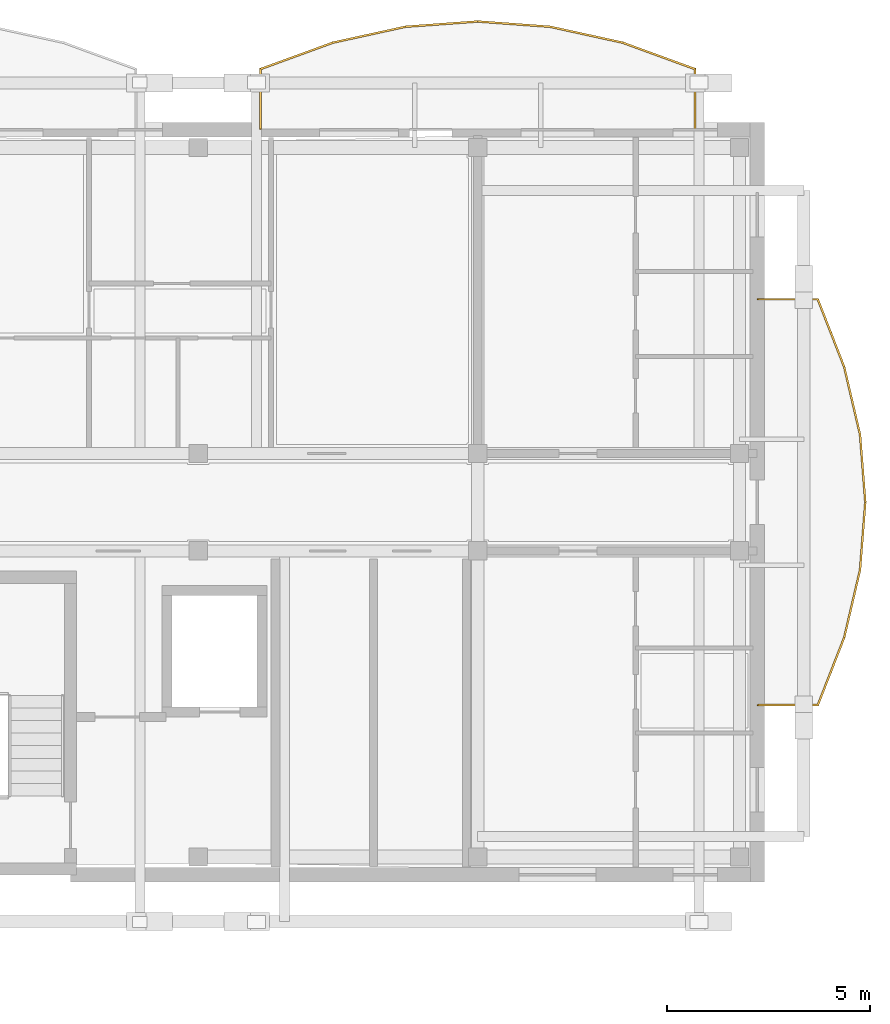
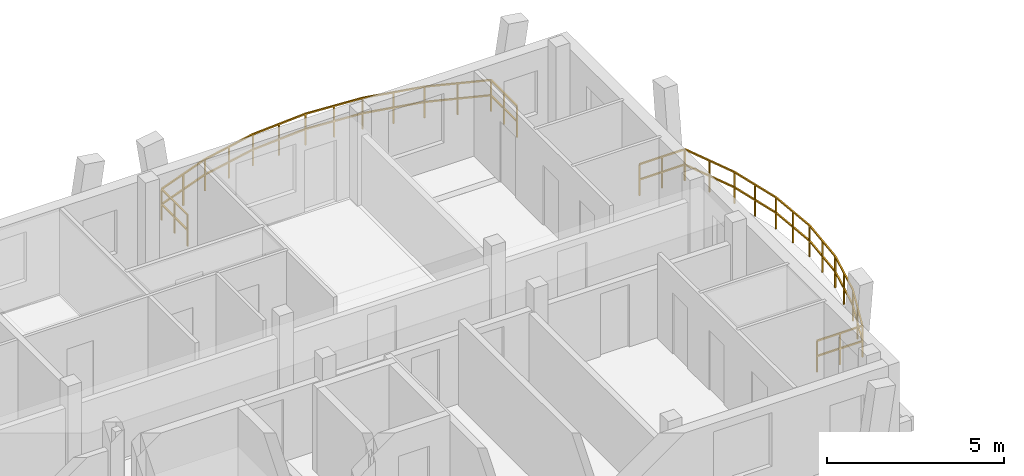
# One storey, part 52 of 52: 2 railings.
"""IFC4 building model written with IfcOpenShell, lengths in metres."""

from ifc_helpers import new_model, si_unit, direction, frame, origin, origin_2d, place, context, subcontext, project, spatial, rectangle, extrude, material, type_object, element, save


model = new_model("IFC4")

# Units and contexts
model_context = context("Model", 3, precision=1e-05, world=origin(), true_north=direction((0.0, 1.0)))
body_context = subcontext(model_context, "Body", "Model", "MODEL_VIEW")
ifc_project = project(units=[si_unit("LENGTHUNIT", "METRE"), si_unit("AREAUNIT", "SQUARE_METRE"), si_unit("VOLUMEUNIT", "CUBIC_METRE"), si_unit("PLANEANGLEUNIT", "RADIAN"), si_unit("MASSUNIT", "GRAM", prefix="KILO")], contexts=[model_context])

# Site, building, storey
site_placement = place(None, origin())
site = spatial("IfcSite", under=ifc_project, at=site_placement, CompositionType="ELEMENT")
building_placement = place(site_placement, origin())
building = spatial("IfcBuilding", under=site, at=building_placement, Name="Zavelmont Quarter", CompositionType="ELEMENT")
storey_placement = place(building_placement, frame((0.0, 0.0, 14.39990234375)))
storey = spatial("IfcBuildingStorey", under=building, at=storey_placement, Name="L04", CompositionType="ELEMENT", Elevation=14.39990234375)

# Railings
ifc_material = material(Name="Powder-coated steel and tempered double safety glass", Category="steel")
railing_type = type_object("IfcRailingType", Name="RL-BAL1", PredefinedType="BALUSTRADE", material=ifc_material)
railing_1_placement = place(storey_placement, frame((166.4609375, 116.02001953125, 0.0)))
element("IfcRailing", 1, at=railing_1_placement, inside=storey, type_object=railing_type, Name="L04 Block C curved balcony guard RL-BAL1", PredefinedType="BALUSTRADE", context=body_context, shape_type="SweptSolid", body=[
    extrude(rectangle(XDim=0.048095703125, YDim=0.048095703125, at=origin_2d()), frame((0.0, 0.0, 1.076171875), z_axis=(0.0, 1.0, 0.0), x_axis=(-1.0, 0.0, 0.0)), (0.0, 0.0, 1.0), 1.474609375),
    extrude(rectangle(XDim=0.048095703125, YDim=0.048095703125, at=origin_2d()), frame((0.0, 0.0, 0.550048828125), z_axis=(0.0, 1.0, 0.0), x_axis=(-1.0, 0.0, 0.0)), (0.0, 0.0, 1.0), 1.474609375),
    extrude(rectangle(XDim=0.048095703125, YDim=0.048095703125, at=origin_2d()), frame((0.0, 1.474609375, 1.076171875), z_axis=(-0.939357976096, 0.342938176271, 0.0), x_axis=(-0.342938176271, -0.939357976096, 0.0)), (0.0, 0.0, 1.0), 1.902099609375),
    extrude(rectangle(XDim=0.048095703125, YDim=0.048095703125, at=origin_2d()), frame((0.0, 1.474609375, 0.550048828125), z_axis=(-0.939357976096, 0.342938176271, 0.0), x_axis=(-0.342938176271, -0.939357976096, 0.0)), (0.0, 0.0, 1.0), 1.902099609375),
    extrude(rectangle(XDim=0.048095703125, YDim=0.048095703125, at=origin_2d()), frame((-1.786865234375, 2.126953125, 1.076171875), z_axis=(-0.976823344536, 0.2140470826, 0.0), x_axis=(-0.2140470826, -0.976823344536, 0.0)), (0.0, 0.0, 1.0), 1.82958984375),
    extrude(rectangle(XDim=0.048095703125, YDim=0.048095703125, at=origin_2d()), frame((-1.786865234375, 2.126953125, 0.550048828125), z_axis=(-0.976823344536, 0.2140470826, 0.0), x_axis=(-0.2140470826, -0.976823344536, 0.0)), (0.0, 0.0, 1.0), 1.82958984375),
    extrude(rectangle(XDim=0.048095703125, YDim=0.048095703125, at=origin_2d()), frame((-3.573974609375, 2.5185546875, 1.076171875), z_axis=(-0.997348941337, 0.072767363666, 0.0), x_axis=(-0.072767363666, -0.997348941337, 0.0)), (0.0, 0.0, 1.0), 1.79150390625),
    extrude(rectangle(XDim=0.048095703125, YDim=0.048095703125, at=origin_2d()), frame((-3.573974609375, 2.5185546875, 0.550048828125), z_axis=(-0.997348941337, 0.072767363666, 0.0), x_axis=(-0.072767363666, -0.997348941337, 0.0)), (0.0, 0.0, 1.0), 1.79150390625),
    extrude(rectangle(XDim=0.048095703125, YDim=0.048095703125, at=origin_2d()), frame((-5.36083984375, 2.64892578125, 1.076171875), z_axis=(-0.997349662743, -0.072757475397, 0.0), x_axis=(0.072757475397, -0.997349662743, 0.0)), (0.0, 0.0, 1.0), 1.791748046875),
    extrude(rectangle(XDim=0.048095703125, YDim=0.048095703125, at=origin_2d()), frame((-5.36083984375, 2.64892578125, 0.550048828125), z_axis=(-0.997349662743, -0.072757475397, 0.0), x_axis=(0.072757475397, -0.997349662743, 0.0)), (0.0, 0.0, 1.0), 1.791748046875),
    extrude(rectangle(XDim=0.048095703125, YDim=0.048095703125, at=origin_2d()), frame((-7.14794921875, 2.5185546875, 1.076171875), z_axis=(-0.976823344536, -0.2140470826, 0.0), x_axis=(0.2140470826, -0.976823344536, 0.0)), (0.0, 0.0, 1.0), 1.82958984375),
    extrude(rectangle(XDim=0.048095703125, YDim=0.048095703125, at=origin_2d()), frame((-7.14794921875, 2.5185546875, 0.550048828125), z_axis=(-0.976823344536, -0.2140470826, 0.0), x_axis=(0.2140470826, -0.976823344536, 0.0)), (0.0, 0.0, 1.0), 1.82958984375),
    extrude(rectangle(XDim=0.048095703125, YDim=0.048095703125, at=origin_2d()), frame((-8.93505859375, 2.126953125, 1.076171875), z_axis=(-0.939357976096, -0.342938176271, 0.0), x_axis=(0.342938176271, -0.939357976096, 0.0)), (0.0, 0.0, 1.0), 1.902099609375),
    extrude(rectangle(XDim=0.048095703125, YDim=0.048095703125, at=origin_2d()), frame((-8.93505859375, 2.126953125, 0.550048828125), z_axis=(-0.939357976096, -0.342938176271, 0.0), x_axis=(0.342938176271, -0.939357976096, 0.0)), (0.0, 0.0, 1.0), 1.902099609375),
    extrude(rectangle(XDim=0.048095703125, YDim=0.048095703125, at=origin_2d()), frame((-10.721923828125, 1.474609375, 1.076171875), z_axis=(0.0, -1.0, 0.0), x_axis=(1.0, 0.0, 0.0)), (0.0, 0.0, 1.0), 1.474609375),
    extrude(rectangle(XDim=0.048095703125, YDim=0.048095703125, at=origin_2d()), frame((-10.721923828125, 1.474609375, 0.550048828125), z_axis=(0.0, -1.0, 0.0), x_axis=(1.0, 0.0, 0.0)), (0.0, 0.0, 1.0), 1.474609375),
    extrude(rectangle(XDim=0.0419921875, YDim=0.0419921875, at=origin_2d()), origin(), (0.0, 0.0, 1.0), 1.052001953125),
    extrude(rectangle(XDim=0.0419921875, YDim=0.0419921875, at=origin_2d()), frame((0.0, 0.7373046875, 0.0)), (0.0, 0.0, 1.0), 1.052001953125),
    extrude(rectangle(XDim=0.0419921875, YDim=0.0419921875, at=origin_2d()), frame((0.0, 1.474609375, 0.0)), (0.0, 0.0, 1.0), 1.052001953125),
    extrude(rectangle(XDim=0.0419921875, YDim=0.0419921875, at=origin_2d()), frame((-0.8935546875, 1.80078125, 0.0)), (0.0, 0.0, 1.0), 1.052001953125),
    extrude(rectangle(XDim=0.0419921875, YDim=0.0419921875, at=origin_2d()), frame((-1.786865234375, 2.126953125, 0.0)), (0.0, 0.0, 1.0), 1.052001953125),
    extrude(rectangle(XDim=0.0419921875, YDim=0.0419921875, at=origin_2d()), frame((-2.680419921875, 2.32275390625, 0.0)), (0.0, 0.0, 1.0), 1.052001953125),
    extrude(rectangle(XDim=0.0419921875, YDim=0.0419921875, at=origin_2d()), frame((-3.573974609375, 2.5185546875, 0.0)), (0.0, 0.0, 1.0), 1.052001953125),
    extrude(rectangle(XDim=0.0419921875, YDim=0.0419921875, at=origin_2d()), frame((-4.46728515625, 2.583740234375, 0.0)), (0.0, 0.0, 1.0), 1.052001953125),
    extrude(rectangle(XDim=0.0419921875, YDim=0.0419921875, at=origin_2d()), frame((-5.36083984375, 2.64892578125, 0.0)), (0.0, 0.0, 1.0), 1.052001953125),
    extrude(rectangle(XDim=0.0419921875, YDim=0.0419921875, at=origin_2d()), frame((-6.25439453125, 2.583740234375, 0.0)), (0.0, 0.0, 1.0), 1.052001953125),
    extrude(rectangle(XDim=0.0419921875, YDim=0.0419921875, at=origin_2d()), frame((-7.14794921875, 2.5185546875, 0.0)), (0.0, 0.0, 1.0), 1.052001953125),
    extrude(rectangle(XDim=0.0419921875, YDim=0.0419921875, at=origin_2d()), frame((-8.04150390625, 2.32275390625, 0.0)), (0.0, 0.0, 1.0), 1.052001953125),
    extrude(rectangle(XDim=0.0419921875, YDim=0.0419921875, at=origin_2d()), frame((-8.93505859375, 2.126953125, 0.0)), (0.0, 0.0, 1.0), 1.052001953125),
    extrude(rectangle(XDim=0.0419921875, YDim=0.0419921875, at=origin_2d()), frame((-9.82861328125, 1.80078125, 0.0)), (0.0, 0.0, 1.0), 1.052001953125),
    extrude(rectangle(XDim=0.0419921875, YDim=0.0419921875, at=origin_2d()), frame((-10.721923828125, 1.474609375, 0.0)), (0.0, 0.0, 1.0), 1.052001953125),
    extrude(rectangle(XDim=0.0419921875, YDim=0.0419921875, at=origin_2d()), frame((-10.721923828125, 0.7373046875, 0.0)), (0.0, 0.0, 1.0), 1.052001953125),
    extrude(rectangle(XDim=0.0419921875, YDim=0.0419921875, at=origin_2d()), frame((-10.721923828125, 0.0, 0.0)), (0.0, 0.0, 1.0), 1.052001953125),
])
railing_2_placement = place(storey_placement, frame((168.02001953125, 101.7890625, 0.0)))
element("IfcRailing", 2, at=railing_2_placement, inside=storey, type_object=railing_type, Name="L04 Block C curved balcony guard RL-BAL1", PredefinedType="BALUSTRADE", context=body_context, shape_type="SweptSolid", body=[
    extrude(rectangle(XDim=0.048095703125, YDim=0.048095703125, at=origin_2d()), frame((0.0, 0.0, 1.076171875), z_axis=(1.0, 0.0, 0.0), x_axis=(0.0, 1.0, 0.0)), (0.0, 0.0, 1.0), 1.474609375),
    extrude(rectangle(XDim=0.048095703125, YDim=0.048095703125, at=origin_2d()), frame((0.0, 0.0, 0.550048828125), z_axis=(1.0, 0.0, 0.0), x_axis=(0.0, 1.0, 0.0)), (0.0, 0.0, 1.0), 1.474609375),
    extrude(rectangle(XDim=0.048095703125, YDim=0.048095703125, at=origin_2d()), frame((1.474609375, 0.0, 1.076171875), z_axis=(0.36381914758, 0.931469606511, 0.0), x_axis=(-0.931469606511, 0.36381914758, 0.0)), (0.0, 0.0, 1.0), 1.79296875),
    extrude(rectangle(XDim=0.048095703125, YDim=0.048095703125, at=origin_2d()), frame((1.474609375, 0.0, 0.550048828125), z_axis=(0.36381914758, 0.931469606511, 0.0), x_axis=(-0.931469606511, 0.36381914758, 0.0)), (0.0, 0.0, 1.0), 1.79296875),
    extrude(rectangle(XDim=0.048095703125, YDim=0.048095703125, at=origin_2d()), frame((2.126953125, 1.670166015625, 1.076171875), z_axis=(0.228246120855, 0.973603465644, 0.0), x_axis=(-0.973603465644, 0.228246120855, 0.0)), (0.0, 0.0, 1.0), 1.7158203125),
    extrude(rectangle(XDim=0.048095703125, YDim=0.048095703125, at=origin_2d()), frame((2.126953125, 1.670166015625, 0.550048828125), z_axis=(0.228246120855, 0.973603465644, 0.0), x_axis=(-0.973603465644, 0.228246120855, 0.0)), (0.0, 0.0, 1.0), 1.7158203125),
    extrude(rectangle(XDim=0.048095703125, YDim=0.048095703125, at=origin_2d()), frame((2.5185546875, 3.340576171875, 1.076171875), z_axis=(0.077810726652, 0.99696814935, 0.0), x_axis=(-0.99696814935, 0.077810726652, 0.0)), (0.0, 0.0, 1.0), 1.675537109375),
    extrude(rectangle(XDim=0.048095703125, YDim=0.048095703125, at=origin_2d()), frame((2.5185546875, 3.340576171875, 0.550048828125), z_axis=(0.077810726652, 0.99696814935, 0.0), x_axis=(-0.99696814935, 0.077810726652, 0.0)), (0.0, 0.0, 1.0), 1.675537109375),
    extrude(rectangle(XDim=0.048095703125, YDim=0.048095703125, at=origin_2d()), frame((2.64892578125, 5.010986328125, 1.076171875), z_axis=(-0.077822031946, 0.996967266937, 0.0), x_axis=(-0.996967266937, -0.077822031946, 0.0)), (0.0, 0.0, 1.0), 1.67529296875),
    extrude(rectangle(XDim=0.048095703125, YDim=0.048095703125, at=origin_2d()), frame((2.64892578125, 5.010986328125, 0.550048828125), z_axis=(-0.077822031946, 0.996967266937, 0.0), x_axis=(-0.996967266937, -0.077822031946, 0.0)), (0.0, 0.0, 1.0), 1.67529296875),
    extrude(rectangle(XDim=0.048095703125, YDim=0.048095703125, at=origin_2d()), frame((2.5185546875, 6.68115234375, 1.076171875), z_axis=(-0.228246120855, 0.973603465644, 0.0), x_axis=(-0.973603465644, -0.228246120855, 0.0)), (0.0, 0.0, 1.0), 1.7158203125),
    extrude(rectangle(XDim=0.048095703125, YDim=0.048095703125, at=origin_2d()), frame((2.5185546875, 6.68115234375, 0.550048828125), z_axis=(-0.228246120855, 0.973603465644, 0.0), x_axis=(-0.973603465644, -0.228246120855, 0.0)), (0.0, 0.0, 1.0), 1.7158203125),
    extrude(rectangle(XDim=0.048095703125, YDim=0.048095703125, at=origin_2d()), frame((2.126953125, 8.3515625, 1.076171875), z_axis=(-0.36377301025, 0.931487625797, 0.0), x_axis=(-0.931487625797, -0.36377301025, 0.0)), (0.0, 0.0, 1.0), 1.793212890625),
    extrude(rectangle(XDim=0.048095703125, YDim=0.048095703125, at=origin_2d()), frame((2.126953125, 8.3515625, 0.550048828125), z_axis=(-0.36377301025, 0.931487625797, 0.0), x_axis=(-0.931487625797, -0.36377301025, 0.0)), (0.0, 0.0, 1.0), 1.793212890625),
    extrude(rectangle(XDim=0.048095703125, YDim=0.048095703125, at=origin_2d()), frame((1.474609375, 10.02197265625, 1.076171875), z_axis=(-1.0, 0.0, 0.0), x_axis=(0.0, -1.0, 0.0)), (0.0, 0.0, 1.0), 1.474609375),
    extrude(rectangle(XDim=0.048095703125, YDim=0.048095703125, at=origin_2d()), frame((1.474609375, 10.02197265625, 0.550048828125), z_axis=(-1.0, 0.0, 0.0), x_axis=(0.0, -1.0, 0.0)), (0.0, 0.0, 1.0), 1.474609375),
    extrude(rectangle(XDim=0.0419921875, YDim=0.0419921875, at=origin_2d()), origin(), (0.0, 0.0, 1.0), 1.052001953125),
    extrude(rectangle(XDim=0.0419921875, YDim=0.0419921875, at=origin_2d()), frame((0.7373046875, 0.0, 0.0)), (0.0, 0.0, 1.0), 1.052001953125),
    extrude(rectangle(XDim=0.0419921875, YDim=0.0419921875, at=origin_2d()), frame((1.474609375, 0.0, 0.0)), (0.0, 0.0, 1.0), 1.052001953125),
    extrude(rectangle(XDim=0.0419921875, YDim=0.0419921875, at=origin_2d()), frame((1.80078125, 0.8349609375, 0.0)), (0.0, 0.0, 1.0), 1.052001953125),
    extrude(rectangle(XDim=0.0419921875, YDim=0.0419921875, at=origin_2d()), frame((2.126953125, 1.670166015625, 0.0)), (0.0, 0.0, 1.0), 1.052001953125),
    extrude(rectangle(XDim=0.0419921875, YDim=0.0419921875, at=origin_2d()), frame((2.32275390625, 2.50537109375, 0.0)), (0.0, 0.0, 1.0), 1.052001953125),
    extrude(rectangle(XDim=0.0419921875, YDim=0.0419921875, at=origin_2d()), frame((2.5185546875, 3.340576171875, 0.0)), (0.0, 0.0, 1.0), 1.052001953125),
    extrude(rectangle(XDim=0.0419921875, YDim=0.0419921875, at=origin_2d()), frame((2.583740234375, 4.17578125, 0.0)), (0.0, 0.0, 1.0), 1.052001953125),
    extrude(rectangle(XDim=0.0419921875, YDim=0.0419921875, at=origin_2d()), frame((2.64892578125, 5.010986328125, 0.0)), (0.0, 0.0, 1.0), 1.052001953125),
    extrude(rectangle(XDim=0.0419921875, YDim=0.0419921875, at=origin_2d()), frame((2.583740234375, 5.84619140625, 0.0)), (0.0, 0.0, 1.0), 1.052001953125),
    extrude(rectangle(XDim=0.0419921875, YDim=0.0419921875, at=origin_2d()), frame((2.5185546875, 6.68115234375, 0.0)), (0.0, 0.0, 1.0), 1.052001953125),
    extrude(rectangle(XDim=0.0419921875, YDim=0.0419921875, at=origin_2d()), frame((2.32275390625, 7.516357421875, 0.0)), (0.0, 0.0, 1.0), 1.052001953125),
    extrude(rectangle(XDim=0.0419921875, YDim=0.0419921875, at=origin_2d()), frame((2.126953125, 8.3515625, 0.0)), (0.0, 0.0, 1.0), 1.052001953125),
    extrude(rectangle(XDim=0.0419921875, YDim=0.0419921875, at=origin_2d()), frame((1.80078125, 9.186767578125, 0.0)), (0.0, 0.0, 1.0), 1.052001953125),
    extrude(rectangle(XDim=0.0419921875, YDim=0.0419921875, at=origin_2d()), frame((1.474609375, 10.02197265625, 0.0)), (0.0, 0.0, 1.0), 1.052001953125),
    extrude(rectangle(XDim=0.0419921875, YDim=0.0419921875, at=origin_2d()), frame((0.7373046875, 10.02197265625, 0.0)), (0.0, 0.0, 1.0), 1.052001953125),
    extrude(rectangle(XDim=0.0419921875, YDim=0.0419921875, at=origin_2d()), frame((0.0, 10.02197265625, 0.0)), (0.0, 0.0, 1.0), 1.052001953125),
])

save(model, "model.ifc")
